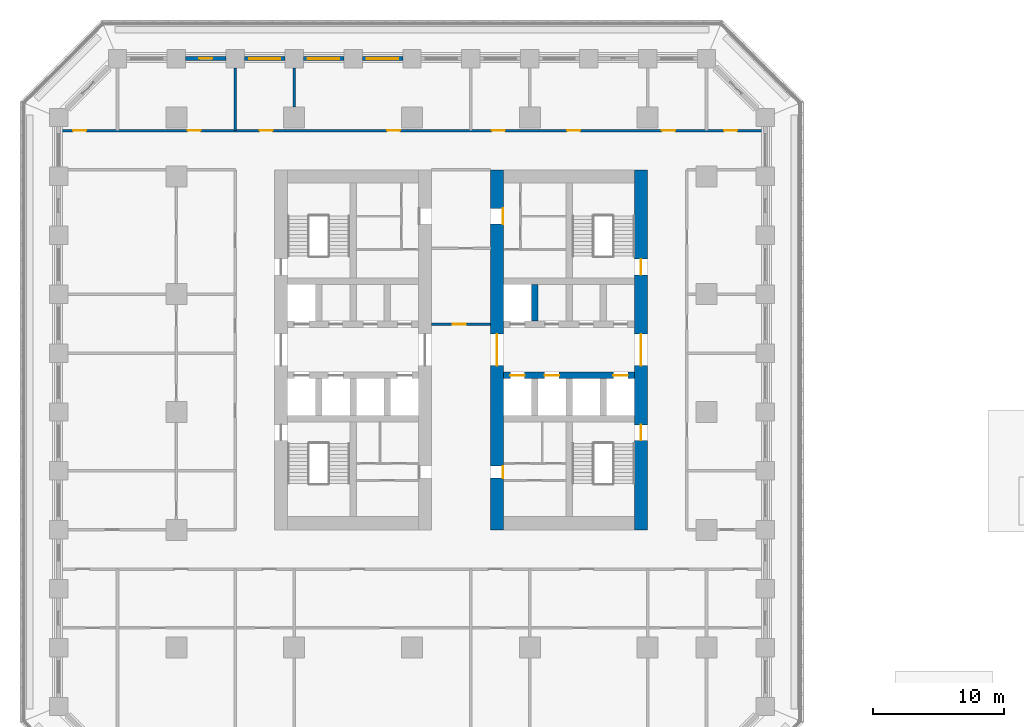
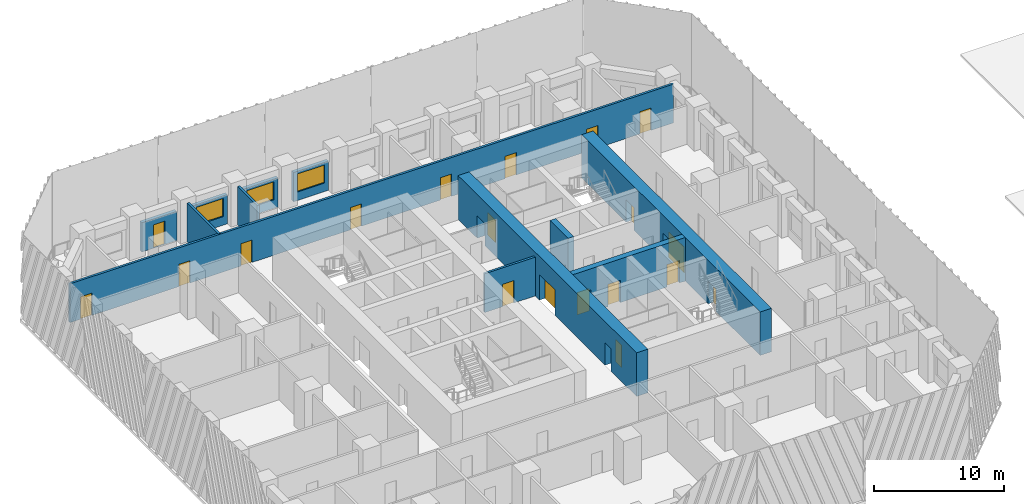
# One storey, part 7 of 15: 19 doors, 12 walls, 3 windows, 22 openings.
"""IFC4 building model written with IfcOpenShell, lengths in metres."""

from ifc_helpers import new_model, si_unit, direction, frame, frame_2d, origin, place, context, subcontext, project, spatial, rectangle, extrude, material, layer, layer_set, type_object, element, fill, save


model = new_model("IFC4")

# Units and contexts
model_context = context("Model", 3, precision=1e-05, world=origin(), true_north=direction((0.0, 1.0)))
body_context = subcontext(model_context, "Body", "Model", "MODEL_VIEW")
ifc_project = project(units=[si_unit("LENGTHUNIT", "METRE"), si_unit("AREAUNIT", "SQUARE_METRE"), si_unit("VOLUMEUNIT", "CUBIC_METRE"), si_unit("PLANEANGLEUNIT", "RADIAN"), si_unit("MASSUNIT", "GRAM", prefix="KILO")], contexts=[model_context])

# Site, building, storey
site_placement = place(None, origin())
site = spatial("IfcSite", under=ifc_project, at=site_placement, CompositionType="ELEMENT")
building_placement = place(site_placement, origin())
building = spatial("IfcBuilding", under=site, at=building_placement, Name="Corbel Stack Research Tower", CompositionType="ELEMENT")
storey_placement = place(building_placement, frame((0.0, 0.0, 23.60009765625)))
storey = spatial("IfcBuildingStorey", under=building, at=storey_placement, Name="L05", CompositionType="ELEMENT", Elevation=23.60009765625)

# Wall, openings, doors
ifc_material_1 = material(Name="Concrete C70/85", Category="concrete")
ifc_layer_1 = layer(ifc_material_1, 1.0)
ifc_layer_set_1 = layer_set([ifc_layer_1], Name="Concrete C70/85")
wall_type_1 = type_object("IfcWallType", Name="CW-1000-70", PredefinedType="SHEAR", material=ifc_layer_set_1)
wall_1_placement = place(storey_placement, frame((6.5, -9.0, 0.0), z_axis=(0.0, 0.0, 1.0), x_axis=(0.0, 1.0, 0.0)))
wall_1 = element("IfcWall", 1, at=wall_1_placement, inside=storey, type_object=wall_type_1, Name="East core wall, west face L05", PredefinedType="SHEAR", context=body_context, shape_type="SweptSolid", body=[
    extrude(rectangle(XDim=27.5, YDim=1.0, at=frame_2d((13.75, 0.0))), origin(), (0.0, 0.0, 1.0), 4.099853515625),
])
opening_1_placement = place(wall_1_placement, frame((12.550048828125, 0.0, 0.0)))
opening_1 = element("IfcOpeningElement", 2, at=opening_1_placement, cuts=wall_1, Name="Opening CD-E-W", PredefinedType="OPENING", context=body_context, shape_type="SweptSolid", body=[
    extrude(rectangle(XDim=2.39990234375, YDim=2.39990234375, at=frame_2d((1.199951171875, 1.199951171875))), frame((0.0, 0.510009765625, 0.0), z_axis=(0.0, -1.0, 0.0), x_axis=(1.0, 0.0, 0.0)), (0.0, 0.0, 1.0), 1.02001953125),
])
opening_2_placement = place(wall_1_placement, frame((3.955078125, 0.0, 0.0)))
opening_2 = element("IfcOpeningElement", 3, at=opening_2_placement, cuts=wall_1, Name="Opening CR-E24-W1-905", PredefinedType="OPENING", context=body_context, shape_type="SweptSolid", body=[
    extrude(rectangle(XDim=0.905029296875, YDim=2.10009765625, at=frame_2d((0.45263671875, 1.050048828125))), frame((0.0, 0.510009765625, 0.0), z_axis=(0.0, -1.0, 0.0), x_axis=(1.0, 0.0, 0.0)), (0.0, 0.0, 1.0), 1.02001953125),
])
opening_3_placement = place(wall_1_placement, frame((23.362548828125, 0.0, 0.0)))
opening_3 = element("IfcOpeningElement", 4, at=opening_3_placement, cuts=wall_1, Name="Opening CR-E24-R2-1200", PredefinedType="OPENING", context=body_context, shape_type="SweptSolid", body=[
    extrude(rectangle(XDim=1.199951171875, YDim=2.10009765625, at=frame_2d((0.60009765625, 1.050048828125))), frame((0.0, 0.510009765625, 0.0), z_axis=(0.0, -1.0, 0.0), x_axis=(1.0, 0.0, 0.0)), (0.0, 0.0, 1.0), 1.02001953125),
])
ifc_material_2 = material(Name="Painted steel fire door", Category="steel")
door_type_1 = type_object("IfcDoorType", Name="Lobby door pair 2400 x 2400 FD30S", OperationType="DOUBLE_DOOR_DOUBLE_SWING", PredefinedType="DOOR", material=ifc_material_2)
door_1_placement = place(opening_1_placement, origin())
door_1 = element("IfcDoor", 5, at=door_1_placement, inside=storey, type_object=door_type_1, Name="Lift lobby door E core W", OperationType="DOUBLE_DOOR_DOUBLE_SWING", OverallHeight=2.39990234375, OverallWidth=2.39990234375, PredefinedType="DOOR", context=body_context, shape_type="SweptSolid", body=[
    extrude(rectangle(XDim=2.39990234375, YDim=2.39990234375, at=frame_2d((1.199951171875, 1.199951171875))), frame((0.0, 0.02490234375, 0.0), z_axis=(0.0, -1.0, 0.0), x_axis=(1.0, 0.0, 0.0)), (0.0, 0.0, 1.0), 0.050048828125),
])
fill(opening_1, door_1)
ifc_material_3 = material(Name="Painted steel door", Category="steel")
door_type_2 = type_object("IfcDoorType", Name="Service door 1200 x 2100 FD30 left hand", OperationType="SINGLE_SWING_LEFT", PredefinedType="DOOR", material=ifc_material_3)
door_2_placement = place(opening_3_placement, origin())
door_2 = element("IfcDoor", 6, at=door_2_placement, inside=storey, type_object=door_type_2, Name="Service passage door E core", OperationType="SINGLE_SWING_LEFT", OverallHeight=2.10009765625, OverallWidth=1.199951171875, PredefinedType="DOOR", context=body_context, shape_type="SweptSolid", body=[
    extrude(rectangle(XDim=1.199951171875, YDim=2.10009765625, at=frame_2d((0.60009765625, 1.050048828125))), frame((0.0, -0.4248046875, 0.0), z_axis=(0.0, -1.0, 0.0), x_axis=(1.0, 0.0, 0.0)), (0.0, 0.0, 1.0), 0.050048828125),
])
fill(opening_3, door_2)
ifc_material_4 = material(Name="Painted timber door", Category="wood")
door_type_3 = type_object("IfcDoorType", Name="WC door 905 x 2100 right hand", OperationType="SINGLE_SWING_RIGHT", PredefinedType="DOOR", material=ifc_material_4)
door_3_placement = place(opening_2_placement, origin())
door_3 = element("IfcDoor", 7, at=door_3_placement, inside=storey, type_object=door_type_3, Name="WC lobby door E core", OperationType="SINGLE_SWING_RIGHT", OverallHeight=2.10009765625, OverallWidth=0.905029296875, PredefinedType="DOOR", context=body_context, shape_type="SweptSolid", body=[
    extrude(rectangle(XDim=0.905029296875, YDim=2.10009765625, at=frame_2d((0.45263671875, 1.050048828125))), frame((0.0, -0.4248046875, 0.0), z_axis=(0.0, -1.0, 0.0), x_axis=(1.0, 0.0, 0.0)), (0.0, 0.0, 1.0), 0.050048828125),
])
fill(opening_2, door_3)

wall_2_placement = place(storey_placement, frame((17.5, -9.0, 0.0), z_axis=(0.0, 0.0, 1.0), x_axis=(0.0, 1.0, 0.0)))
wall_2 = element("IfcWall", 8, at=wall_2_placement, inside=storey, type_object=wall_type_1, Name="East core wall, east face L05", PredefinedType="SHEAR", context=body_context, shape_type="SweptSolid", body=[
    extrude(rectangle(XDim=27.5, YDim=1.0, at=frame_2d((13.75, 0.0))), origin(), (0.0, 0.0, 1.0), 4.099853515625),
])
opening_4_placement = place(wall_2_placement, frame((12.550048828125, 0.0, 0.0)))
opening_4 = element("IfcOpeningElement", 9, at=opening_4_placement, cuts=wall_2, Name="Opening CD-E-E", PredefinedType="OPENING", context=body_context, shape_type="SweptSolid", body=[
    extrude(rectangle(XDim=2.39990234375, YDim=2.39990234375, at=frame_2d((1.199951171875, 1.199951171875))), frame((0.0, 0.510009765625, 0.0), z_axis=(0.0, -1.0, 0.0), x_axis=(1.0, 0.0, 0.0)), (0.0, 0.0, 1.0), 1.02001953125),
])
opening_5_placement = place(wall_2_placement, frame((6.824951171875, 0.0, 0.0)))
opening_5 = element("IfcOpeningElement", 10, at=opening_5_placement, cuts=wall_2, Name="Opening SD-ST-E1", PredefinedType="OPENING", context=body_context, shape_type="SweptSolid", body=[
    extrude(rectangle(XDim=1.199951171875, YDim=2.10009765625, at=frame_2d((0.60009765625, 1.050048828125))), frame((0.0, 0.510009765625, 0.0), z_axis=(0.0, -1.0, 0.0), x_axis=(1.0, 0.0, 0.0)), (0.0, 0.0, 1.0), 1.02001953125),
])
opening_6_placement = place(wall_2_placement, frame((19.47509765625, 0.0, 0.0)))
opening_6 = element("IfcOpeningElement", 11, at=opening_6_placement, cuts=wall_2, Name="Opening SD-ST-E2", PredefinedType="OPENING", context=body_context, shape_type="SweptSolid", body=[
    extrude(rectangle(XDim=1.199951171875, YDim=2.10009765625, at=frame_2d((0.60009765625, 1.050048828125))), frame((0.0, 0.510009765625, 0.0), z_axis=(0.0, -1.0, 0.0), x_axis=(1.0, 0.0, 0.0)), (0.0, 0.0, 1.0), 1.02001953125),
])
door_4_placement = place(opening_4_placement, origin())
door_4 = element("IfcDoor", 12, at=door_4_placement, inside=storey, type_object=door_type_1, Name="Lift lobby door E core E", OperationType="DOUBLE_DOOR_DOUBLE_SWING", OverallHeight=2.39990234375, OverallWidth=2.39990234375, PredefinedType="DOOR", context=body_context, shape_type="SweptSolid", body=[
    extrude(rectangle(XDim=2.39990234375, YDim=2.39990234375, at=frame_2d((1.199951171875, 1.199951171875))), frame((0.0, 0.02490234375, 0.0), z_axis=(0.0, -1.0, 0.0), x_axis=(1.0, 0.0, 0.0)), (0.0, 0.0, 1.0), 0.050048828125),
])
fill(opening_4, door_4)
ifc_material_5 = material(Name="Painted steel fire door", Category="steel")
door_type_4 = type_object("IfcDoorType", Name="Stair door 1200 x 2100 FD90 right hand", OperationType="SINGLE_SWING_RIGHT", PredefinedType="DOOR", material=ifc_material_5)
door_5_placement = place(opening_5_placement, frame((1.199951171875, 0.0, 0.0), z_axis=(0.0, 0.0, 1.0), x_axis=(-1.0, 0.0, 0.0)))
door_5 = element("IfcDoor", 13, at=door_5_placement, inside=storey, type_object=door_type_4, Name="Stair door ST-E1", OperationType="SINGLE_SWING_LEFT", OverallHeight=2.10009765625, OverallWidth=1.199951171875, PredefinedType="DOOR", context=body_context, shape_type="SweptSolid", body=[
    extrude(rectangle(XDim=1.199951171875, YDim=2.10009765625, at=frame_2d((0.60009765625, 1.050048828125))), frame((0.0, 0.02490234375, 0.0), z_axis=(0.0, -1.0, 0.0), x_axis=(1.0, 0.0, 0.0)), (0.0, 0.0, 1.0), 0.050048828125),
])
fill(opening_5, door_5)
door_6_placement = place(opening_6_placement, frame((1.199951171875, 0.0, 0.0), z_axis=(0.0, 0.0, 1.0), x_axis=(-1.0, 0.0, 0.0)))
door_6 = element("IfcDoor", 14, at=door_6_placement, inside=storey, type_object=door_type_4, Name="Stair door ST-E2", OperationType="SINGLE_SWING_LEFT", OverallHeight=2.10009765625, OverallWidth=1.199951171875, PredefinedType="DOOR", context=body_context, shape_type="SweptSolid", body=[
    extrude(rectangle(XDim=1.199951171875, YDim=2.10009765625, at=frame_2d((0.60009765625, 1.050048828125))), frame((0.0, 0.02490234375, 0.0), z_axis=(0.0, -1.0, 0.0), x_axis=(1.0, 0.0, 0.0)), (0.0, 0.0, 1.0), 0.050048828125),
])
fill(opening_6, door_6)

ifc_material_6 = material(Name="Concrete C70/85", Category="concrete")
ifc_layer_2 = layer(ifc_material_6, 0.5)
ifc_layer_set_2 = layer_set([ifc_layer_2], Name="Concrete C70/85")
wall_type_2 = type_object("IfcWallType", Name="CW-500-70", PredefinedType="SHEAR", material=ifc_layer_set_2)
wall_3_placement = place(storey_placement, frame((7.0, 2.800048828125, 0.0), z_axis=(0.0, 0.0, 1.0), x_axis=(1.0, 0.0, 0.0)))
wall_3 = element("IfcWall", 15, at=wall_3_placement, inside=storey, type_object=wall_type_2, Name="East core wall, lobby south L05", PredefinedType="SHEAR", context=body_context, shape_type="SweptSolid", body=[
    extrude(rectangle(XDim=10.0, YDim=0.5, at=frame_2d((5.0, 0.0))), origin(), (0.0, 0.0, 1.0), 4.099853515625),
])
opening_7_placement = place(wall_3_placement, frame((0.512451171875, 0.0, 0.0)))
opening_7 = element("IfcOpeningElement", 16, at=opening_7_placement, cuts=wall_3, Name="Opening LD-FS2", PredefinedType="OPENING", context=body_context, shape_type="SweptSolid", body=[
    extrude(rectangle(XDim=1.10009765625, YDim=2.10009765625, at=frame_2d((0.550048828125, 1.050048828125))), frame((0.0, 0.260009765625, 0.0), z_axis=(0.0, -1.0, 0.0), x_axis=(1.0, 0.0, 0.0)), (0.0, 0.0, 1.0), 0.52001953125),
])
opening_8_placement = place(wall_3_placement, frame((3.137451171875, 0.0, 0.0)))
opening_8 = element("IfcOpeningElement", 17, at=opening_8_placement, cuts=wall_3, Name="Opening LD-GL2", PredefinedType="OPENING", context=body_context, shape_type="SweptSolid", body=[
    extrude(rectangle(XDim=1.10009765625, YDim=2.10009765625, at=frame_2d((0.550048828125, 1.050048828125))), frame((0.0, 0.260009765625, 0.0), z_axis=(0.0, -1.0, 0.0), x_axis=(1.0, 0.0, 0.0)), (0.0, 0.0, 1.0), 0.52001953125),
])
opening_9_placement = place(wall_3_placement, frame((8.387451171875, 0.0, 0.0)))
opening_9 = element("IfcOpeningElement", 18, at=opening_9_placement, cuts=wall_3, Name="Opening LD-LR3", PredefinedType="OPENING", context=body_context, shape_type="SweptSolid", body=[
    extrude(rectangle(XDim=1.10009765625, YDim=2.10009765625, at=frame_2d((0.550048828125, 1.050048828125))), frame((0.0, 0.260009765625, 0.0), z_axis=(0.0, -1.0, 0.0), x_axis=(1.0, 0.0, 0.0)), (0.0, 0.0, 1.0), 0.52001953125),
])
ifc_material_7 = material(Name="Stainless steel landing door", Category="steel")
door_type_5 = type_object("IfcDoorType", Name="Lift landing door 1100 x 2100", OperationType="DOUBLE_DOOR_SLIDING", PredefinedType="DOOR", material=ifc_material_7)
door_7_placement = place(opening_7_placement, origin())
door_7 = element("IfcDoor", 19, at=door_7_placement, inside=storey, type_object=door_type_5, Name="Landing door FS2", OperationType="DOUBLE_DOOR_SLIDING", OverallHeight=2.10009765625, OverallWidth=1.10009765625, PredefinedType="DOOR", context=body_context, shape_type="SweptSolid", body=[
    extrude(rectangle(XDim=1.10009765625, YDim=2.10009765625, at=frame_2d((0.550048828125, 1.050048828125))), frame((0.0, 0.02490234375, 0.0), z_axis=(0.0, -1.0, 0.0), x_axis=(1.0, 0.0, 0.0)), (0.0, 0.0, 1.0), 0.050048828125),
])
fill(opening_7, door_7)
door_8_placement = place(opening_8_placement, origin())
door_8 = element("IfcDoor", 20, at=door_8_placement, inside=storey, type_object=door_type_5, Name="Landing door GL2", OperationType="DOUBLE_DOOR_SLIDING", OverallHeight=2.10009765625, OverallWidth=1.10009765625, PredefinedType="DOOR", context=body_context, shape_type="SweptSolid", body=[
    extrude(rectangle(XDim=1.10009765625, YDim=2.10009765625, at=frame_2d((0.550048828125, 1.050048828125))), frame((0.0, 0.02490234375, 0.0), z_axis=(0.0, -1.0, 0.0), x_axis=(1.0, 0.0, 0.0)), (0.0, 0.0, 1.0), 0.050048828125),
])
fill(opening_8, door_8)
door_9_placement = place(opening_9_placement, origin())
door_9 = element("IfcDoor", 21, at=door_9_placement, inside=storey, type_object=door_type_5, Name="Landing door LR3", OperationType="DOUBLE_DOOR_SLIDING", OverallHeight=2.10009765625, OverallWidth=1.10009765625, PredefinedType="DOOR", context=body_context, shape_type="SweptSolid", body=[
    extrude(rectangle(XDim=1.10009765625, YDim=2.10009765625, at=frame_2d((0.550048828125, 1.050048828125))), frame((0.0, 0.02490234375, 0.0), z_axis=(0.0, -1.0, 0.0), x_axis=(1.0, 0.0, 0.0)), (0.0, 0.0, 1.0), 0.050048828125),
])
fill(opening_9, door_9)

# Walls
wall_4_placement = place(storey_placement, frame((9.375, 6.949951171875, 0.0), z_axis=(0.0, 0.0, 1.0), x_axis=(0.0, 1.0, 0.0)))
element("IfcWall", 22, at=wall_4_placement, inside=storey, type_object=wall_type_2, Name="East core wall, north shaft 1 L05", PredefinedType="SHEAR", context=body_context, shape_type="SweptSolid", body=[
    extrude(rectangle(XDim=2.800048828125, YDim=0.5, at=frame_2d((1.39990234375, 0.0))), origin(), (0.0, 0.0, 1.0), 4.099853515625),
])
ifc_material_8 = material(Name="Fire-rated gypsum board partition on steel studs", Category="steel")
ifc_layer_3 = layer(ifc_material_8, 0.199951171875)
ifc_layer_set_3 = layer_set([ifc_layer_3], Name="Fire-rated gypsum board partition on steel studs")
wall_type_3 = type_object("IfcWallType", Name="Fire-rated partition 200 EI 60", PredefinedType="PARTITIONING", material=ifc_layer_set_3)
wall_5_placement = place(storey_placement, frame((-13.5, 21.5, 0.0), z_axis=(0.0, 0.0, 1.0), x_axis=(0.0, 1.0, 0.0)))
element("IfcWall", 23, at=wall_5_placement, inside=storey, type_object=wall_type_3, Name="Partition L05-008", PredefinedType="PARTITIONING", context=body_context, shape_type="SweptSolid", body=[
    extrude(rectangle(XDim=4.800048828125, YDim=0.199951171875, at=frame_2d((2.39990234375, 0.0))), origin(), (0.0, 0.0, 1.0), 3.64990234375),
])
wall_6_placement = place(storey_placement, frame((-9.0, 23.300048828125, 0.0), z_axis=(0.0, 0.0, 1.0), x_axis=(0.0, 1.0, 0.0)))
element("IfcWall", 24, at=wall_6_placement, inside=storey, type_object=wall_type_3, Name="Partition L05-011", PredefinedType="PARTITIONING", context=body_context, shape_type="SweptSolid", body=[
    extrude(rectangle(XDim=3.0, YDim=0.199951171875, at=frame_2d((1.5, 0.0))), origin(), (0.0, 0.0, 1.0), 3.64990234375),
])

# Wall, opening, door
wall_7_placement = place(storey_placement, frame((1.5, 6.699951171875, 0.0), z_axis=(0.0, 0.0, 1.0), x_axis=(1.0, 0.0, 0.0)))
wall_7 = element("IfcWall", 25, at=wall_7_placement, inside=storey, type_object=wall_type_3, Name="Partition L05-034", PredefinedType="PARTITIONING", context=body_context, shape_type="SweptSolid", body=[
    extrude(rectangle(XDim=4.5, YDim=0.199951171875, at=frame_2d((2.25, 0.0))), origin(), (0.0, 0.0, 1.0), 3.64990234375),
])
opening_10_placement = place(wall_7_placement, frame((1.60009765625, 0.0, 0.0)))
opening_10 = element("IfcOpeningElement", 26, at=opening_10_placement, cuts=wall_7, Name="Opening B1V1-026", PredefinedType="OPENING", context=body_context, shape_type="SweptSolid", body=[
    extrude(rectangle(XDim=1.0, YDim=2.10009765625, at=frame_2d((0.5, 1.050048828125))), frame((0.0, 0.10986328125, 0.0), z_axis=(0.0, -1.0, 0.0), x_axis=(1.0, 0.0, 0.0)), (0.0, 0.0, 1.0), 0.219970703125),
])
ifc_material_9 = material(Name="Painted steel fire door", Category="steel")
door_type_6 = type_object("IfcDoorType", Name="Fire door FD30S 1000 x 2100", OperationType="NOTDEFINED", PredefinedType="DOOR", material=ifc_material_9)
door_10_placement = place(opening_10_placement, origin())
door_10 = element("IfcDoor", 27, at=door_10_placement, inside=storey, type_object=door_type_6, Name="Door B1V1-026", OperationType="SINGLE_SWING_LEFT", OverallHeight=2.10009765625, OverallWidth=1.0, PredefinedType="DOOR", context=body_context, shape_type="SweptSolid", body=[
    extrude(rectangle(XDim=1.0, YDim=2.10009765625, at=frame_2d((0.5, 1.050048828125))), frame((0.0, 0.02490234375, 0.0), z_axis=(0.0, -1.0, 0.0), x_axis=(1.0, 0.0, 0.0)), (0.0, 0.0, 1.0), 0.050048828125),
])
fill(opening_10, door_10)

# Wall, openings, doors
wall_8_placement = place(storey_placement, frame((-26.85009765625, 21.5, 0.0), z_axis=(0.0, 0.0, 1.0), x_axis=(1.0, 0.0, 0.0)))
wall_8 = element("IfcWall", 28, at=wall_8_placement, inside=storey, type_object=wall_type_3, Name="Partition L05-045", PredefinedType="PARTITIONING", context=body_context, shape_type="SweptSolid", body=[
    extrude(rectangle(XDim=53.7001953125, YDim=0.199951171875, at=frame_2d((26.85009765625, 0.0))), origin(), (0.0, 0.0, 1.0), 3.64990234375),
])
opening_11_placement = place(wall_8_placement, frame((0.949951171875, 0.0, 0.0)))
opening_11 = element("IfcOpeningElement", 29, at=opening_11_placement, cuts=wall_8, Name="Opening B1V1-031", PredefinedType="OPENING", context=body_context, shape_type="SweptSolid", body=[
    extrude(rectangle(XDim=1.0, YDim=2.10009765625, at=frame_2d((0.5, 1.050048828125))), frame((0.0, 0.10986328125, 0.0), z_axis=(0.0, -1.0, 0.0), x_axis=(1.0, 0.0, 0.0)), (0.0, 0.0, 1.0), 0.219970703125),
])
opening_12_placement = place(wall_8_placement, frame((9.699951171875, 0.0, 0.0)))
opening_12 = element("IfcOpeningElement", 30, at=opening_12_placement, cuts=wall_8, Name="Opening B1V1-032", PredefinedType="OPENING", context=body_context, shape_type="SweptSolid", body=[
    extrude(rectangle(XDim=1.0, YDim=2.10009765625, at=frame_2d((0.5, 1.050048828125))), frame((0.0, 0.10986328125, 0.0), z_axis=(0.0, -1.0, 0.0), x_axis=(1.0, 0.0, 0.0)), (0.0, 0.0, 1.0), 0.219970703125),
])
opening_13_placement = place(wall_8_placement, frame((15.199951171875, 0.0, 0.0)))
opening_13 = element("IfcOpeningElement", 31, at=opening_13_placement, cuts=wall_8, Name="Opening B1V1-033", PredefinedType="OPENING", context=body_context, shape_type="SweptSolid", body=[
    extrude(rectangle(XDim=1.0, YDim=2.10009765625, at=frame_2d((0.5, 1.050048828125))), frame((0.0, 0.10986328125, 0.0), z_axis=(0.0, -1.0, 0.0), x_axis=(1.0, 0.0, 0.0)), (0.0, 0.0, 1.0), 0.219970703125),
])
opening_14_placement = place(wall_8_placement, frame((24.949951171875, 0.0, 0.0)))
opening_14 = element("IfcOpeningElement", 32, at=opening_14_placement, cuts=wall_8, Name="Opening B1V1-034", PredefinedType="OPENING", context=body_context, shape_type="SweptSolid", body=[
    extrude(rectangle(XDim=1.0, YDim=2.10009765625, at=frame_2d((0.5, 1.050048828125))), frame((0.0, 0.10986328125, 0.0), z_axis=(0.0, -1.0, 0.0), x_axis=(1.0, 0.0, 0.0)), (0.0, 0.0, 1.0), 0.219970703125),
])
opening_15_placement = place(wall_8_placement, frame((32.949951171875, 0.0, 0.0)))
opening_15 = element("IfcOpeningElement", 33, at=opening_15_placement, cuts=wall_8, Name="Opening B1V1-035", PredefinedType="OPENING", context=body_context, shape_type="SweptSolid", body=[
    extrude(rectangle(XDim=1.0, YDim=2.10009765625, at=frame_2d((0.5, 1.050048828125))), frame((0.0, 0.10986328125, 0.0), z_axis=(0.0, -1.0, 0.0), x_axis=(1.0, 0.0, 0.0)), (0.0, 0.0, 1.0), 0.219970703125),
])
opening_16_placement = place(wall_8_placement, frame((38.699951171875, 0.0, 0.0)))
opening_16 = element("IfcOpeningElement", 34, at=opening_16_placement, cuts=wall_8, Name="Opening B1V1-036", PredefinedType="OPENING", context=body_context, shape_type="SweptSolid", body=[
    extrude(rectangle(XDim=1.0, YDim=2.10009765625, at=frame_2d((0.5, 1.050048828125))), frame((0.0, 0.10986328125, 0.0), z_axis=(0.0, -1.0, 0.0), x_axis=(1.0, 0.0, 0.0)), (0.0, 0.0, 1.0), 0.219970703125),
])
opening_17_placement = place(wall_8_placement, frame((45.949951171875, 0.0, 0.0)))
opening_17 = element("IfcOpeningElement", 35, at=opening_17_placement, cuts=wall_8, Name="Opening B1V1-037", PredefinedType="OPENING", context=body_context, shape_type="SweptSolid", body=[
    extrude(rectangle(XDim=1.0, YDim=2.10009765625, at=frame_2d((0.5, 1.050048828125))), frame((0.0, 0.10986328125, 0.0), z_axis=(0.0, -1.0, 0.0), x_axis=(1.0, 0.0, 0.0)), (0.0, 0.0, 1.0), 0.219970703125),
])
opening_18_placement = place(wall_8_placement, frame((50.699951171875, 0.0, 0.0)))
opening_18 = element("IfcOpeningElement", 36, at=opening_18_placement, cuts=wall_8, Name="Opening B1V1-038", PredefinedType="OPENING", context=body_context, shape_type="SweptSolid", body=[
    extrude(rectangle(XDim=1.0, YDim=2.10009765625, at=frame_2d((0.5, 1.050048828125))), frame((0.0, 0.10986328125, 0.0), z_axis=(0.0, -1.0, 0.0), x_axis=(1.0, 0.0, 0.0)), (0.0, 0.0, 1.0), 0.219970703125),
])
door_11_placement = place(opening_11_placement, origin())
door_11 = element("IfcDoor", 37, at=door_11_placement, inside=storey, type_object=door_type_6, Name="Door B1V1-031", OperationType="SINGLE_SWING_LEFT", OverallHeight=2.10009765625, OverallWidth=1.0, PredefinedType="DOOR", context=body_context, shape_type="SweptSolid", body=[
    extrude(rectangle(XDim=1.0, YDim=2.10009765625, at=frame_2d((0.5, 1.050048828125))), frame((0.0, 0.02490234375, 0.0), z_axis=(0.0, -1.0, 0.0), x_axis=(1.0, 0.0, 0.0)), (0.0, 0.0, 1.0), 0.050048828125),
])
fill(opening_11, door_11)
door_12_placement = place(opening_12_placement, origin())
door_12 = element("IfcDoor", 38, at=door_12_placement, inside=storey, type_object=door_type_6, Name="Door B1V1-032", OperationType="SINGLE_SWING_LEFT", OverallHeight=2.10009765625, OverallWidth=1.0, PredefinedType="DOOR", context=body_context, shape_type="SweptSolid", body=[
    extrude(rectangle(XDim=1.0, YDim=2.10009765625, at=frame_2d((0.5, 1.050048828125))), frame((0.0, 0.02490234375, 0.0), z_axis=(0.0, -1.0, 0.0), x_axis=(1.0, 0.0, 0.0)), (0.0, 0.0, 1.0), 0.050048828125),
])
fill(opening_12, door_12)
door_13_placement = place(opening_13_placement, origin())
door_13 = element("IfcDoor", 39, at=door_13_placement, inside=storey, type_object=door_type_6, Name="Door B1V1-033", OperationType="SINGLE_SWING_LEFT", OverallHeight=2.10009765625, OverallWidth=1.0, PredefinedType="DOOR", context=body_context, shape_type="SweptSolid", body=[
    extrude(rectangle(XDim=1.0, YDim=2.10009765625, at=frame_2d((0.5, 1.050048828125))), frame((0.0, 0.02490234375, 0.0), z_axis=(0.0, -1.0, 0.0), x_axis=(1.0, 0.0, 0.0)), (0.0, 0.0, 1.0), 0.050048828125),
])
fill(opening_13, door_13)
door_14_placement = place(opening_14_placement, origin())
door_14 = element("IfcDoor", 40, at=door_14_placement, inside=storey, type_object=door_type_6, Name="Door B1V1-034", OperationType="SINGLE_SWING_LEFT", OverallHeight=2.10009765625, OverallWidth=1.0, PredefinedType="DOOR", context=body_context, shape_type="SweptSolid", body=[
    extrude(rectangle(XDim=1.0, YDim=2.10009765625, at=frame_2d((0.5, 1.050048828125))), frame((0.0, 0.02490234375, 0.0), z_axis=(0.0, -1.0, 0.0), x_axis=(1.0, 0.0, 0.0)), (0.0, 0.0, 1.0), 0.050048828125),
])
fill(opening_14, door_14)
door_15_placement = place(opening_15_placement, origin())
door_15 = element("IfcDoor", 41, at=door_15_placement, inside=storey, type_object=door_type_6, Name="Door B1V1-035", OperationType="SINGLE_SWING_RIGHT", OverallHeight=2.10009765625, OverallWidth=1.0, PredefinedType="DOOR", context=body_context, shape_type="SweptSolid", body=[
    extrude(rectangle(XDim=1.0, YDim=2.10009765625, at=frame_2d((0.5, 1.050048828125))), frame((0.0, 0.02490234375, 0.0), z_axis=(0.0, -1.0, 0.0), x_axis=(1.0, 0.0, 0.0)), (0.0, 0.0, 1.0), 0.050048828125),
])
fill(opening_15, door_15)
door_16_placement = place(opening_16_placement, origin())
door_16 = element("IfcDoor", 42, at=door_16_placement, inside=storey, type_object=door_type_6, Name="Door B1V1-036", OperationType="SINGLE_SWING_RIGHT", OverallHeight=2.10009765625, OverallWidth=1.0, PredefinedType="DOOR", context=body_context, shape_type="SweptSolid", body=[
    extrude(rectangle(XDim=1.0, YDim=2.10009765625, at=frame_2d((0.5, 1.050048828125))), frame((0.0, 0.02490234375, 0.0), z_axis=(0.0, -1.0, 0.0), x_axis=(1.0, 0.0, 0.0)), (0.0, 0.0, 1.0), 0.050048828125),
])
fill(opening_16, door_16)
door_17_placement = place(opening_17_placement, origin())
door_17 = element("IfcDoor", 43, at=door_17_placement, inside=storey, type_object=door_type_6, Name="Door B1V1-037", OperationType="SINGLE_SWING_RIGHT", OverallHeight=2.10009765625, OverallWidth=1.0, PredefinedType="DOOR", context=body_context, shape_type="SweptSolid", body=[
    extrude(rectangle(XDim=1.0, YDim=2.10009765625, at=frame_2d((0.5, 1.050048828125))), frame((0.0, 0.02490234375, 0.0), z_axis=(0.0, -1.0, 0.0), x_axis=(1.0, 0.0, 0.0)), (0.0, 0.0, 1.0), 0.050048828125),
])
fill(opening_17, door_17)
door_18_placement = place(opening_18_placement, origin())
door_18 = element("IfcDoor", 44, at=door_18_placement, inside=storey, type_object=door_type_6, Name="Door B1V1-038", OperationType="SINGLE_SWING_RIGHT", OverallHeight=2.10009765625, OverallWidth=1.0, PredefinedType="DOOR", context=body_context, shape_type="SweptSolid", body=[
    extrude(rectangle(XDim=1.0, YDim=2.10009765625, at=frame_2d((0.5, 1.050048828125))), frame((0.0, 0.02490234375, 0.0), z_axis=(0.0, -1.0, 0.0), x_axis=(1.0, 0.0, 0.0)), (0.0, 0.0, 1.0), 0.050048828125),
])
fill(opening_18, door_18)

# Wall, opening, window
ifc_material_10 = material(Name="Concrete C45/55", Category="concrete")
ifc_layer_4 = layer(ifc_material_10, 0.300048828125)
ifc_layer_set_4 = layer_set([ifc_layer_4], Name="Concrete C45/55")
wall_type_4 = type_object("IfcWallType", Name="Terracotta-faced concrete wall 300", PredefinedType="SOLIDWALL", material=ifc_layer_set_4)
wall_9_placement = place(storey_placement, frame((-3.800048828125, 27.0, 0.0), z_axis=(0.0, 0.0, 1.0), x_axis=(1.0, 0.0, 0.0)))
wall_9 = element("IfcWall", 45, at=wall_9_placement, inside=storey, type_object=wall_type_4, Name="Facade wall L05 N06", PredefinedType="SOLIDWALL", context=body_context, shape_type="SweptSolid", body=[
    extrude(rectangle(XDim=3.10009765625, YDim=0.300048828125, at=frame_2d((1.550048828125, 0.0))), origin(), (0.0, 0.0, 1.0), 2.75),
])
opening_19_placement = place(wall_9_placement, frame((0.35009765625, 0.0, 0.800048828125)))
opening_19 = element("IfcOpeningElement", 46, at=opening_19_placement, cuts=wall_9, Name="Opening W1", PredefinedType="OPENING", context=body_context, shape_type="SweptSolid", body=[
    extrude(rectangle(XDim=2.39990234375, YDim=1.699951171875, at=frame_2d((1.199951171875, 0.85009765625))), frame((0.0, 0.159912109375, 0.0), z_axis=(0.0, -1.0, 0.0), x_axis=(1.0, 0.0, 0.0)), (0.0, 0.0, 1.0), 0.320068359375),
])
ifc_material_11 = material(Name="Aluminium frame, clear double glazing", Category="aluminium")
window_type = type_object("IfcWindowType", Name="Window W1 2400 x 1700", PartitioningType="SINGLE_PANEL", PredefinedType="WINDOW", material=ifc_material_11)
window_1_placement = place(opening_19_placement, origin())
window_1 = element("IfcWindow", 47, at=window_1_placement, inside=storey, type_object=window_type, Name="Window W1 L05 N06", OverallHeight=1.699951171875, OverallWidth=2.39990234375, PartitioningType="SINGLE_PANEL", PredefinedType="WINDOW", context=body_context, shape_type="SweptSolid", body=[
    extrude(rectangle(XDim=2.39990234375, YDim=1.699951171875, at=frame_2d((1.199951171875, 0.85009765625))), frame((0.0, 0.030029296875, 0.0), z_axis=(0.0, -1.0, 0.0), x_axis=(1.0, 0.0, 0.0)), (0.0, 0.0, 1.0), 0.06005859375),
])
fill(opening_19, window_1)

wall_10_placement = place(storey_placement, frame((-8.300048828125, 27.0, 0.0), z_axis=(0.0, 0.0, 1.0), x_axis=(1.0, 0.0, 0.0)))
wall_10 = element("IfcWall", 48, at=wall_10_placement, inside=storey, type_object=wall_type_4, Name="Facade wall L05 N07", PredefinedType="SOLIDWALL", context=body_context, shape_type="SweptSolid", body=[
    extrude(rectangle(XDim=3.10009765625, YDim=0.300048828125, at=frame_2d((1.550048828125, 0.0))), origin(), (0.0, 0.0, 1.0), 2.75),
])
opening_20_placement = place(wall_10_placement, frame((0.35009765625, 0.0, 0.800048828125)))
opening_20 = element("IfcOpeningElement", 49, at=opening_20_placement, cuts=wall_10, Name="Opening W1", PredefinedType="OPENING", context=body_context, shape_type="SweptSolid", body=[
    extrude(rectangle(XDim=2.39990234375, YDim=1.699951171875, at=frame_2d((1.199951171875, 0.85009765625))), frame((0.0, 0.159912109375, 0.0), z_axis=(0.0, -1.0, 0.0), x_axis=(1.0, 0.0, 0.0)), (0.0, 0.0, 1.0), 0.320068359375),
])
window_2_placement = place(opening_20_placement, origin())
window_2 = element("IfcWindow", 50, at=window_2_placement, inside=storey, type_object=window_type, Name="Window W1 L05 N07", OverallHeight=1.699951171875, OverallWidth=2.39990234375, PartitioningType="SINGLE_PANEL", PredefinedType="WINDOW", context=body_context, shape_type="SweptSolid", body=[
    extrude(rectangle(XDim=2.39990234375, YDim=1.699951171875, at=frame_2d((1.199951171875, 0.85009765625))), frame((0.0, 0.030029296875, 0.0), z_axis=(0.0, -1.0, 0.0), x_axis=(1.0, 0.0, 0.0)), (0.0, 0.0, 1.0), 0.06005859375),
])
fill(opening_20, window_2)

wall_11_placement = place(storey_placement, frame((-12.800048828125, 27.0, 0.0), z_axis=(0.0, 0.0, 1.0), x_axis=(1.0, 0.0, 0.0)))
wall_11 = element("IfcWall", 51, at=wall_11_placement, inside=storey, type_object=wall_type_4, Name="Facade wall L05 N08", PredefinedType="SOLIDWALL", context=body_context, shape_type="SweptSolid", body=[
    extrude(rectangle(XDim=3.10009765625, YDim=0.300048828125, at=frame_2d((1.550048828125, 0.0))), origin(), (0.0, 0.0, 1.0), 2.75),
])
opening_21_placement = place(wall_11_placement, frame((0.35009765625, 0.0, 0.800048828125)))
opening_21 = element("IfcOpeningElement", 52, at=opening_21_placement, cuts=wall_11, Name="Opening W1", PredefinedType="OPENING", context=body_context, shape_type="SweptSolid", body=[
    extrude(rectangle(XDim=2.39990234375, YDim=1.699951171875, at=frame_2d((1.199951171875, 0.85009765625))), frame((0.0, 0.159912109375, 0.0), z_axis=(0.0, -1.0, 0.0), x_axis=(1.0, 0.0, 0.0)), (0.0, 0.0, 1.0), 0.320068359375),
])
window_3_placement = place(opening_21_placement, origin())
window_3 = element("IfcWindow", 53, at=window_3_placement, inside=storey, type_object=window_type, Name="Window W1 L05 N08", OverallHeight=1.699951171875, OverallWidth=2.39990234375, PartitioningType="SINGLE_PANEL", PredefinedType="WINDOW", context=body_context, shape_type="SweptSolid", body=[
    extrude(rectangle(XDim=2.39990234375, YDim=1.699951171875, at=frame_2d((1.199951171875, 0.85009765625))), frame((0.0, 0.030029296875, 0.0), z_axis=(0.0, -1.0, 0.0), x_axis=(1.0, 0.0, 0.0)), (0.0, 0.0, 1.0), 0.06005859375),
])
fill(opening_21, window_3)

# Wall, opening, door
wall_12_placement = place(storey_placement, frame((-17.300048828125, 27.0, 0.0), z_axis=(0.0, 0.0, 1.0), x_axis=(1.0, 0.0, 0.0)))
wall_12 = element("IfcWall", 54, at=wall_12_placement, inside=storey, type_object=wall_type_4, Name="Facade wall L05 N09", PredefinedType="SOLIDWALL", context=body_context, shape_type="SweptSolid", body=[
    extrude(rectangle(XDim=3.10009765625, YDim=0.300048828125, at=frame_2d((1.550048828125, 0.0))), origin(), (0.0, 0.0, 1.0), 2.75),
])
opening_22_placement = place(wall_12_placement, frame((1.050048828125, 0.0, 0.0)))
opening_22 = element("IfcOpeningElement", 55, at=opening_22_placement, cuts=wall_12, Name="Opening L05-B08", PredefinedType="OPENING", context=body_context, shape_type="SweptSolid", body=[
    extrude(rectangle(XDim=1.0, YDim=2.199951171875, at=frame_2d((0.5, 1.10009765625))), frame((0.0, 0.159912109375, 0.0), z_axis=(0.0, -1.0, 0.0), x_axis=(1.0, 0.0, 0.0)), (0.0, 0.0, 1.0), 0.320068359375),
])
ifc_material_12 = material(Name="Aluminium frame, clear double glazing", Category="aluminium")
door_type_7 = type_object("IfcDoorType", Name="Balcony door BD1 1000 x 2200", OperationType="NOTDEFINED", PredefinedType="DOOR", material=ifc_material_12)
door_19_placement = place(opening_22_placement, origin())
door_19 = element("IfcDoor", 56, at=door_19_placement, inside=storey, type_object=door_type_7, Name="Balcony door L05-B08", OperationType="SINGLE_SWING_RIGHT", OverallHeight=2.199951171875, OverallWidth=1.0, PredefinedType="DOOR", context=body_context, shape_type="SweptSolid", body=[
    extrude(rectangle(XDim=1.0, YDim=2.199951171875, at=frame_2d((0.5, 1.10009765625))), frame((0.0, 0.02490234375, 0.0), z_axis=(0.0, -1.0, 0.0), x_axis=(1.0, 0.0, 0.0)), (0.0, 0.0, 1.0), 0.050048828125),
])
fill(opening_22, door_19)

save(model, "model.ifc")
